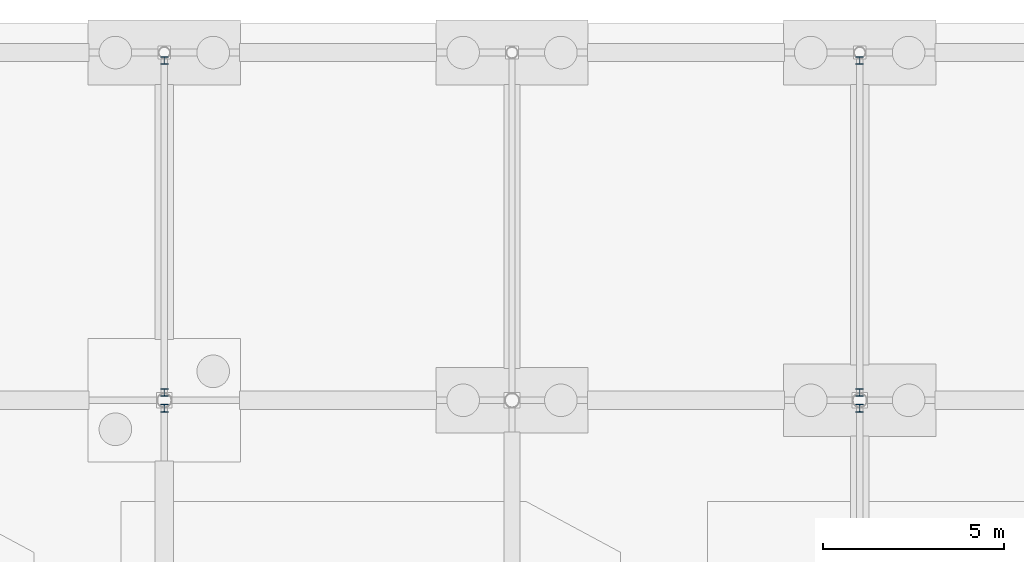
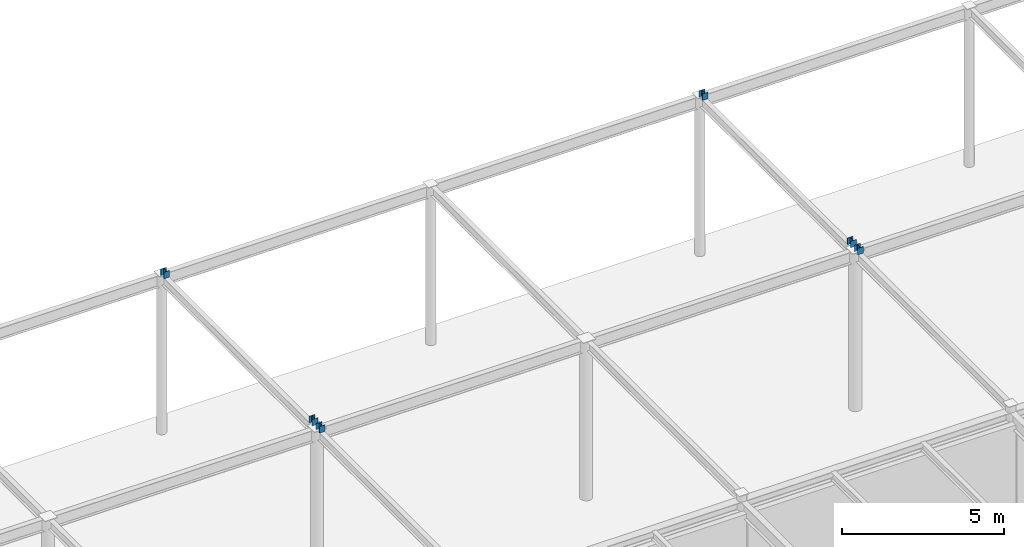
# One storey, part 28 of 142: 6 columns.
"""IFC4 building model written with IfcOpenShell, lengths in metres."""

from ifc_helpers import new_model, si_unit, direction, frame, origin, origin_2d, place, context, subcontext, project, spatial, i_section, extrude, material, material_profile, profile_set, type_object, element, save


model = new_model("IFC4")

# Units and contexts
model_context = context("Model", 3, precision=1e-05, world=origin(), true_north=direction((0.0, 1.0)))
body_context = subcontext(model_context, "Body", "Model", "MODEL_VIEW")
ifc_project = project(units=[si_unit("LENGTHUNIT", "METRE"), si_unit("AREAUNIT", "SQUARE_METRE"), si_unit("VOLUMEUNIT", "CUBIC_METRE"), si_unit("PLANEANGLEUNIT", "RADIAN"), si_unit("MASSUNIT", "GRAM", prefix="KILO")], contexts=[model_context])

# Site, building, storey
site_placement = place(None, origin())
site = spatial("IfcSite", under=ifc_project, at=site_placement, CompositionType="ELEMENT")
building_placement = place(site_placement, origin())
building = spatial("IfcBuilding", under=site, at=building_placement, Name="Coralgate Yard Interchange", CompositionType="ELEMENT")
storey_placement = place(building_placement, origin())
storey = spatial("IfcBuildingStorey", under=building, at=storey_placement, Name="L00", CompositionType="ELEMENT", Elevation=0.0)

# Columns
ifc_material = material(Name="Structural steel S355J2", Category="steel")
ifc_material_profile = material_profile(ifc_material, i_section(OverallWidth=0.205810546875, OverallDepth=0.209716796875, WebThickness=0.009521484375, FlangeThickness=0.01416015625, FilletRadius=0.01025390625, at=origin_2d()), Name="UC 203x203x60")
ifc_profile_set = profile_set([ifc_material_profile], Name="Structural steel S355J2")
column_type = type_object("IfcColumnType", Name="COL-SC-9", PredefinedType="COLUMN", material=ifc_profile_set)
for number, where, z_axis, x_axis, name in (
    (1, (57.60009765625, 105.3798828125, 6.001953125), (0.0, 0.0, 1.0), (1.0, 0.0, 0.0), "Wave-shell valley shoe post WVST-R1-58-N"),
    (2, (76.800048828125, 105.3798828125, 6.001953125), (0.0, 0.0, 1.0), (1.0, 0.0, 0.0), "Wave-shell valley shoe post WVST-R1-77-N"),
    (3, (57.60009765625, 105.820068359375, 6.001953125), (0.0, 0.0, 1.0), (1.0, 0.0, 0.0), "Wave-shell valley shoe post WVST-R2-58-S"),
    (4, (57.60009765625, 114.97998046875, 6.001953125), (0.0, 0.0, 1.0), (1.0, 0.0, 0.0), "Wave-shell valley shoe post WVST-R2-58-N"),
    (5, (76.800048828125, 105.820068359375, 6.001953125), (0.0, 0.0, 1.0), (1.0, 0.0, 0.0), "Wave-shell valley shoe post WVST-R2-77-S"),
    (6, (76.800048828125, 114.97998046875, 6.001953125), (0.0, 0.0, 1.0), (1.0, 0.0, 0.0), "Wave-shell valley shoe post WVST-R2-77-N"),
):
    element("IfcColumn", number, at=place(storey_placement, frame(where, z_axis=z_axis, x_axis=x_axis)), inside=storey, type_object=column_type, Name=name, PredefinedType="COLUMN", context=body_context, shape_type="SweptSolid", body=[
        extrude(i_section(OverallWidth=0.205810546875, OverallDepth=0.209716796875, WebThickness=0.009521484375, FlangeThickness=0.01416015625, FilletRadius=0.01025390625, at=origin_2d()), origin(), (0.0, 0.0, 1.0), 0.2431640625),
    ])

save(model, "model.ifc")
